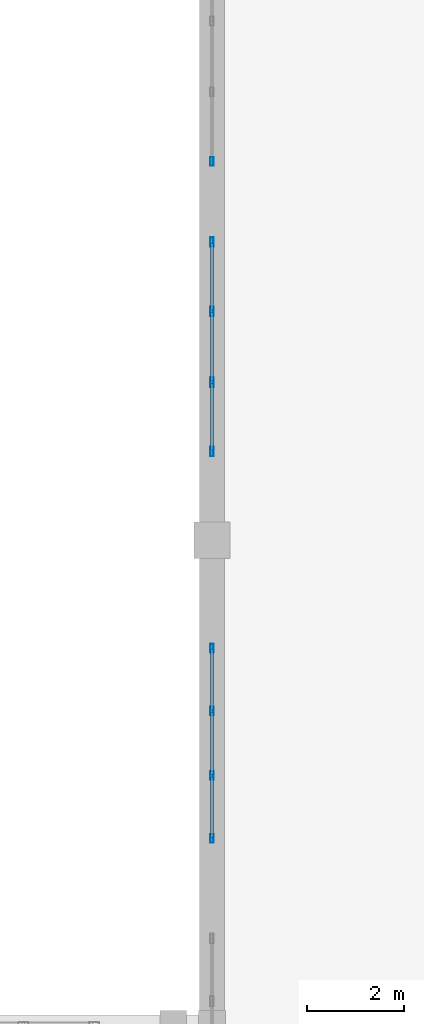
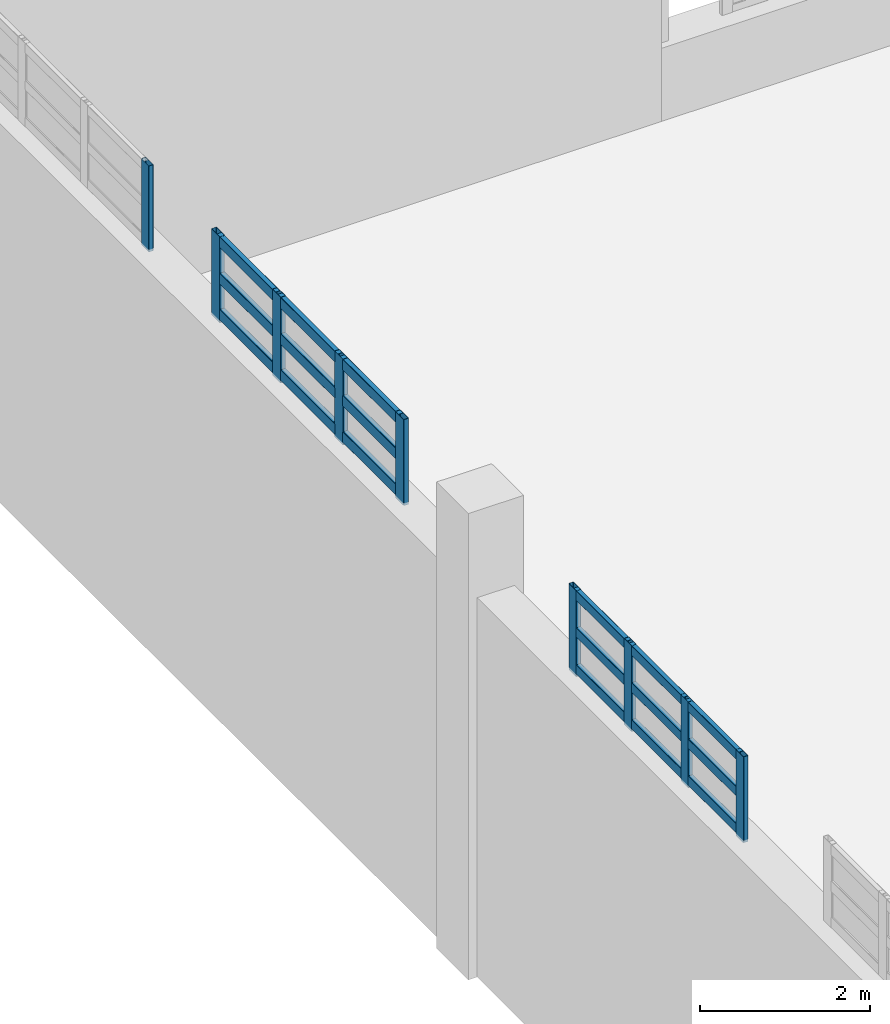
# One storey, part 135 of 197: 27 members, 3 elements without a shape of their own.
"""IFC4 building model written with IfcOpenShell, lengths in metres."""

from ifc_helpers import new_model, si_unit, derived_unit, direction, frame, origin, origin_2d, place, context, subcontext, project, spatial, hollow_rectangle, extrude, material, layer, layer_set, material_profile, profile_set, type_object, element, aggregate, save


model = new_model("IFC4")

# Units and contexts
model_context = context("Model", 3, precision=1e-05, world=origin(), true_north=direction((0.0, 1.0)))
body_context = subcontext(model_context, "Body", "Model", "MODEL_VIEW")
ifc_project = project(units=[si_unit("LENGTHUNIT", "METRE"), si_unit("AREAUNIT", "SQUARE_METRE"), si_unit("VOLUMEUNIT", "CUBIC_METRE"), si_unit("PLANEANGLEUNIT", "RADIAN"), si_unit("MASSUNIT", "GRAM", prefix="KILO"), derived_unit("THERMALTRANSMITTANCEUNIT", [(si_unit("POWERUNIT", "WATT"), 1), (si_unit("LENGTHUNIT", "METRE"), -2), (si_unit("THERMODYNAMICTEMPERATUREUNIT", "KELVIN"), -1)])], contexts=[model_context])

# Site, building, storey
site_placement = place(None, origin())
site = spatial("IfcSite", under=ifc_project, at=site_placement, CompositionType="ELEMENT")
building_placement = place(site_placement, origin())
building = spatial("IfcBuilding", under=site, at=building_placement, Name="Almenara Railside Exhibition Hall", CompositionType="ELEMENT")
storey_placement = place(building_placement, frame((0.0, 0.0, 5.39990234375)))
storey = spatial("IfcBuildingStorey", under=building, at=storey_placement, Name="L01", CompositionType="ELEMENT", Elevation=5.39990234375)

# Curtain wall, members
ifc_material_1 = material(Name="Bronze-anodised aluminium and low-E double glazing", Category="aluminium")
ifc_layer_1 = layer(ifc_material_1, 0.179931640625, Name="Bronze-anodised aluminium and low-E double glazing")
ifc_layer_set_1 = layer_set([ifc_layer_1], Name="Bronze-anodised aluminium and low-E double glazing")
curtain_wall_type_1 = type_object("IfcCurtainWallType", Name="East Hall Clerestory Curtain Wall 4000x2100", PredefinedType="NOTDEFINED", material=ifc_layer_set_1)
curtain_wall_1_placement = place(storey_placement, origin())
curtain_wall_1 = element("IfcCurtainWall", 1, at=curtain_wall_1_placement, inside=storey, type_object=curtain_wall_type_1, Name="Curtain wall CW-CL4-072", PredefinedType="NOTDEFINED")
ifc_material_2 = material(Name="Bronze-anodised aluminium", Category="aluminium")
ifc_material_profile_1 = material_profile(ifc_material_2, hollow_rectangle(XDim=0.06494140625, YDim=0.179931640625, WallThickness=0.00390625, InnerFilletRadius=0.00390625, OuterFilletRadius=0.008056640625, at=origin_2d()), Name="ALU-MUL 65x180x4")
ifc_profile_set_1 = profile_set([ifc_material_profile_1], Name="Bronze-anodised aluminium")
member_type_1 = type_object("IfcMemberType", Name="Curtain Wall Mullion 65x180x4", PredefinedType="MULLION", material=ifc_profile_set_1)
member_1_placement = place(storey_placement, frame((138.0, 111.83251953125, 5.4150390625), z_axis=(0.0, 0.0, 1.0), x_axis=(-1.0, 0.0, 0.0)))
member_1 = element("IfcMember", 2, at=member_1_placement, type_object=member_type_1, Name="CW-CL4-072 mullion 1", PredefinedType="MULLION", context=body_context, shape_type="SweptSolid", body=[
    extrude(hollow_rectangle(XDim=0.06494140625, YDim=0.179931640625, WallThickness=0.00390625, InnerFilletRadius=0.00390625, OuterFilletRadius=0.008056640625, at=origin_2d()), origin(), (0.0, 0.0, 1.0), 1.235107421875),
])
member_2_placement = place(storey_placement, frame((138.0, 113.13330078125, 5.4150390625), z_axis=(0.0, 0.0, 1.0), x_axis=(-1.0, 0.0, 0.0)))
member_2 = element("IfcMember", 3, at=member_2_placement, type_object=member_type_1, Name="CW-CL4-072 mullion 2", PredefinedType="MULLION", context=body_context, shape_type="SweptSolid", body=[
    extrude(hollow_rectangle(XDim=0.06494140625, YDim=0.179931640625, WallThickness=0.00390625, InnerFilletRadius=0.00390625, OuterFilletRadius=0.008056640625, at=origin_2d()), origin(), (0.0, 0.0, 1.0), 1.235107421875),
])
member_3_placement = place(storey_placement, frame((138.0, 114.466552734375, 5.4150390625), z_axis=(0.0, 0.0, 1.0), x_axis=(-1.0, 0.0, 0.0)))
member_3 = element("IfcMember", 4, at=member_3_placement, type_object=member_type_1, Name="CW-CL4-072 mullion 3", PredefinedType="MULLION", context=body_context, shape_type="SweptSolid", body=[
    extrude(hollow_rectangle(XDim=0.06494140625, YDim=0.179931640625, WallThickness=0.00390625, InnerFilletRadius=0.00390625, OuterFilletRadius=0.008056640625, at=origin_2d()), origin(), (0.0, 0.0, 1.0), 1.235107421875),
])
member_4_placement = place(storey_placement, frame((138.0, 115.767578125, 5.4150390625), z_axis=(0.0, 0.0, 1.0), x_axis=(-1.0, 0.0, 0.0)))
member_4 = element("IfcMember", 5, at=member_4_placement, type_object=member_type_1, Name="CW-CL4-072 mullion 4", PredefinedType="MULLION", context=body_context, shape_type="SweptSolid", body=[
    extrude(hollow_rectangle(XDim=0.06494140625, YDim=0.179931640625, WallThickness=0.00390625, InnerFilletRadius=0.00390625, OuterFilletRadius=0.008056640625, at=origin_2d()), origin(), (0.0, 0.0, 1.0), 1.235107421875),
])

# Curtain wall, member
ifc_layer_2 = layer(ifc_material_1, 0.179931640625, Name="Bronze-anodised aluminium and low-E double glazing")
ifc_layer_set_2 = layer_set([ifc_layer_2], Name="Bronze-anodised aluminium and low-E double glazing")
curtain_wall_type_2 = type_object("IfcCurtainWallType", Name="East Hall Clerestory Curtain Wall 4400x2300", PredefinedType="NOTDEFINED", material=ifc_layer_set_2)
curtain_wall_2_placement = place(storey_placement, origin())
curtain_wall_2 = element("IfcCurtainWall", 6, at=curtain_wall_2_placement, inside=storey, type_object=curtain_wall_type_2, Name="Curtain wall CW-CL3-076", PredefinedType="NOTDEFINED")
member_5_placement = place(storey_placement, frame((138.0, 125.83251953125, 5.4150390625), z_axis=(0.0, 0.0, 1.0), x_axis=(-1.0, 0.0, 0.0)))
member_5 = element("IfcMember", 7, at=member_5_placement, type_object=member_type_1, Name="CW-CL3-076 mullion 1", PredefinedType="MULLION", context=body_context, shape_type="SweptSolid", body=[
    extrude(hollow_rectangle(XDim=0.06494140625, YDim=0.179931640625, WallThickness=0.00390625, InnerFilletRadius=0.00390625, OuterFilletRadius=0.008056640625, at=origin_2d()), origin(), (0.0, 0.0, 1.0), 1.235107421875),
])
aggregate(curtain_wall_2, [member_5])

# Curtain wall, members
curtain_wall_3_placement = place(storey_placement, origin())
curtain_wall_3 = element("IfcCurtainWall", 8, at=curtain_wall_3_placement, inside=storey, type_object=curtain_wall_type_2, Name="Curtain wall CW-CL3-075", PredefinedType="NOTDEFINED")
ifc_material_profile_2 = material_profile(ifc_material_2, hollow_rectangle(XDim=0.070068359375, YDim=0.199951171875, WallThickness=0.00439453125, InnerFilletRadius=0.00439453125, OuterFilletRadius=0.009033203125, at=origin_2d()), Name="ALU-MUL 70x200x4.5")
ifc_profile_set_2 = profile_set([ifc_material_profile_2], Name="Bronze-anodised aluminium")
member_type_2 = type_object("IfcMemberType", Name="Curtain Wall Mullion 70x200x4.5", PredefinedType="MULLION", material=ifc_profile_set_2)
member_6_placement = place(storey_placement, frame((138.0, 119.8349609375, 5.4150390625), z_axis=(0.0, 0.0, 1.0), x_axis=(-1.0, 0.0, 0.0)))
member_6 = element("IfcMember", 9, at=member_6_placement, type_object=member_type_2, Name="CW-CL3-075 mullion 1", PredefinedType="MULLION", context=body_context, shape_type="SweptSolid", body=[
    extrude(hollow_rectangle(XDim=0.070068359375, YDim=0.199951171875, WallThickness=0.00439453125, InnerFilletRadius=0.00439453125, OuterFilletRadius=0.009033203125, at=origin_2d()), origin(), (0.0, 0.0, 1.0), 1.235107421875),
])
member_7_placement = place(storey_placement, frame((138.0, 121.2666015625, 5.4150390625), z_axis=(0.0, 0.0, 1.0), x_axis=(-1.0, 0.0, 0.0)))
member_7 = element("IfcMember", 10, at=member_7_placement, type_object=member_type_2, Name="CW-CL3-075 mullion 2", PredefinedType="MULLION", context=body_context, shape_type="SweptSolid", body=[
    extrude(hollow_rectangle(XDim=0.070068359375, YDim=0.199951171875, WallThickness=0.00439453125, InnerFilletRadius=0.00439453125, OuterFilletRadius=0.009033203125, at=origin_2d()), origin(), (0.0, 0.0, 1.0), 1.235107421875),
])
member_8_placement = place(storey_placement, frame((138.0, 122.7333984375, 5.4150390625), z_axis=(0.0, 0.0, 1.0), x_axis=(-1.0, 0.0, 0.0)))
member_8 = element("IfcMember", 11, at=member_8_placement, type_object=member_type_2, Name="CW-CL3-075 mullion 3", PredefinedType="MULLION", context=body_context, shape_type="SweptSolid", body=[
    extrude(hollow_rectangle(XDim=0.070068359375, YDim=0.199951171875, WallThickness=0.00439453125, InnerFilletRadius=0.00439453125, OuterFilletRadius=0.009033203125, at=origin_2d()), origin(), (0.0, 0.0, 1.0), 1.235107421875),
])
member_9_placement = place(storey_placement, frame((138.0, 124.1650390625, 5.4150390625), z_axis=(0.0, 0.0, 1.0), x_axis=(-1.0, 0.0, 0.0)))
member_9 = element("IfcMember", 12, at=member_9_placement, type_object=member_type_2, Name="CW-CL3-075 mullion 4", PredefinedType="MULLION", context=body_context, shape_type="SweptSolid", body=[
    extrude(hollow_rectangle(XDim=0.070068359375, YDim=0.199951171875, WallThickness=0.00439453125, InnerFilletRadius=0.00439453125, OuterFilletRadius=0.009033203125, at=origin_2d()), origin(), (0.0, 0.0, 1.0), 1.235107421875),
])

# Member
ifc_material_profile_3 = material_profile(ifc_material_2, hollow_rectangle(XDim=0.06494140625, YDim=0.139892578125, WallThickness=0.00341796875, InnerFilletRadius=0.00341796875, OuterFilletRadius=0.007080078125, at=origin_2d()), Name="ALU-TRN 65x140x3.5")
ifc_profile_set_3 = profile_set([ifc_material_profile_3], Name="Bronze-anodised aluminium")
member_type_3 = type_object("IfcMemberType", Name="Curtain Wall Transom 65x140x3.5", PredefinedType="USERDEFINED", material=ifc_profile_set_3)
member_10_placement = place(storey_placement, frame((138.0, 111.85693359375, 5.52001953125), z_axis=(0.0, 1.0, 0.0), x_axis=(-1.0, 0.0, 0.0)))
member_10 = element("IfcMember", 13, at=member_10_placement, type_object=member_type_3, Name="CW-CL4-072 transom 1.1", ObjectType="TRANSOM", PredefinedType="USERDEFINED", context=body_context, shape_type="SweptSolid", body=[
    extrude(hollow_rectangle(XDim=0.06494140625, YDim=0.139892578125, WallThickness=0.00341796875, InnerFilletRadius=0.00341796875, OuterFilletRadius=0.007080078125, at=origin_2d()), origin(), (0.0, 0.0, 1.0), 1.251953125),
])

member_11_placement = place(storey_placement, frame((138.0, 111.85693359375, 6.050048828125), z_axis=(0.0, 1.0, 0.0), x_axis=(-1.0, 0.0, 0.0)))
member_11 = element("IfcMember", 14, at=member_11_placement, type_object=member_type_3, Name="CW-CL4-072 transom 1.2", ObjectType="TRANSOM", PredefinedType="USERDEFINED", context=body_context, shape_type="SweptSolid", body=[
    extrude(hollow_rectangle(XDim=0.06494140625, YDim=0.139892578125, WallThickness=0.00341796875, InnerFilletRadius=0.00341796875, OuterFilletRadius=0.007080078125, at=origin_2d()), origin(), (0.0, 0.0, 1.0), 1.251953125),
])

member_12_placement = place(storey_placement, frame((138.0, 111.85693359375, 6.580078125), z_axis=(0.0, 1.0, 0.0), x_axis=(-1.0, 0.0, 0.0)))
member_12 = element("IfcMember", 15, at=member_12_placement, type_object=member_type_3, Name="CW-CL4-072 transom 1.3", ObjectType="TRANSOM", PredefinedType="USERDEFINED", context=body_context, shape_type="SweptSolid", body=[
    extrude(hollow_rectangle(XDim=0.06494140625, YDim=0.139892578125, WallThickness=0.00341796875, InnerFilletRadius=0.00341796875, OuterFilletRadius=0.007080078125, at=origin_2d()), origin(), (0.0, 0.0, 1.0), 1.251953125),
])

member_13_placement = place(storey_placement, frame((138.0, 113.15771484375, 5.52001953125), z_axis=(0.0, 1.0, 0.0), x_axis=(-1.0, 0.0, 0.0)))
member_13 = element("IfcMember", 16, at=member_13_placement, type_object=member_type_3, Name="CW-CL4-072 transom 2.1", ObjectType="TRANSOM", PredefinedType="USERDEFINED", context=body_context, shape_type="SweptSolid", body=[
    extrude(hollow_rectangle(XDim=0.06494140625, YDim=0.139892578125, WallThickness=0.00341796875, InnerFilletRadius=0.00341796875, OuterFilletRadius=0.007080078125, at=origin_2d()), origin(), (0.0, 0.0, 1.0), 1.284423828125),
])

member_14_placement = place(storey_placement, frame((138.0, 113.15771484375, 6.050048828125), z_axis=(0.0, 1.0, 0.0), x_axis=(-1.0, 0.0, 0.0)))
member_14 = element("IfcMember", 17, at=member_14_placement, type_object=member_type_3, Name="CW-CL4-072 transom 2.2", ObjectType="TRANSOM", PredefinedType="USERDEFINED", context=body_context, shape_type="SweptSolid", body=[
    extrude(hollow_rectangle(XDim=0.06494140625, YDim=0.139892578125, WallThickness=0.00341796875, InnerFilletRadius=0.00341796875, OuterFilletRadius=0.007080078125, at=origin_2d()), origin(), (0.0, 0.0, 1.0), 1.284423828125),
])

member_15_placement = place(storey_placement, frame((138.0, 113.15771484375, 6.580078125), z_axis=(0.0, 1.0, 0.0), x_axis=(-1.0, 0.0, 0.0)))
member_15 = element("IfcMember", 18, at=member_15_placement, type_object=member_type_3, Name="CW-CL4-072 transom 2.3", ObjectType="TRANSOM", PredefinedType="USERDEFINED", context=body_context, shape_type="SweptSolid", body=[
    extrude(hollow_rectangle(XDim=0.06494140625, YDim=0.139892578125, WallThickness=0.00341796875, InnerFilletRadius=0.00341796875, OuterFilletRadius=0.007080078125, at=origin_2d()), origin(), (0.0, 0.0, 1.0), 1.284423828125),
])

member_16_placement = place(storey_placement, frame((138.0, 114.4912109375, 5.52001953125), z_axis=(0.0, 1.0, 0.0), x_axis=(-1.0, 0.0, 0.0)))
member_16 = element("IfcMember", 19, at=member_16_placement, type_object=member_type_3, Name="CW-CL4-072 transom 3.1", ObjectType="TRANSOM", PredefinedType="USERDEFINED", context=body_context, shape_type="SweptSolid", body=[
    extrude(hollow_rectangle(XDim=0.06494140625, YDim=0.139892578125, WallThickness=0.00341796875, InnerFilletRadius=0.00341796875, OuterFilletRadius=0.007080078125, at=origin_2d()), origin(), (0.0, 0.0, 1.0), 1.251708984375),
])

member_17_placement = place(storey_placement, frame((138.0, 114.4912109375, 6.050048828125), z_axis=(0.0, 1.0, 0.0), x_axis=(-1.0, 0.0, 0.0)))
member_17 = element("IfcMember", 20, at=member_17_placement, type_object=member_type_3, Name="CW-CL4-072 transom 3.2", ObjectType="TRANSOM", PredefinedType="USERDEFINED", context=body_context, shape_type="SweptSolid", body=[
    extrude(hollow_rectangle(XDim=0.06494140625, YDim=0.139892578125, WallThickness=0.00341796875, InnerFilletRadius=0.00341796875, OuterFilletRadius=0.007080078125, at=origin_2d()), origin(), (0.0, 0.0, 1.0), 1.251708984375),
])

member_18_placement = place(storey_placement, frame((138.0, 114.4912109375, 6.580078125), z_axis=(0.0, 1.0, 0.0), x_axis=(-1.0, 0.0, 0.0)))
member_18 = element("IfcMember", 21, at=member_18_placement, type_object=member_type_3, Name="CW-CL4-072 transom 3.3", ObjectType="TRANSOM", PredefinedType="USERDEFINED", context=body_context, shape_type="SweptSolid", body=[
    extrude(hollow_rectangle(XDim=0.06494140625, YDim=0.139892578125, WallThickness=0.00341796875, InnerFilletRadius=0.00341796875, OuterFilletRadius=0.007080078125, at=origin_2d()), origin(), (0.0, 0.0, 1.0), 1.251708984375),
])

aggregate(curtain_wall_1, [member_1, member_2, member_3, member_4, member_10, member_11, member_12, member_13, member_14, member_15, member_16, member_17, member_18])

ifc_material_profile_4 = material_profile(ifc_material_2, hollow_rectangle(XDim=0.070068359375, YDim=0.159912109375, WallThickness=0.00390625, InnerFilletRadius=0.00390625, OuterFilletRadius=0.008056640625, at=origin_2d()), Name="ALU-TRN 70x160x4")
ifc_profile_set_4 = profile_set([ifc_material_profile_4], Name="Bronze-anodised aluminium")
member_type_4 = type_object("IfcMemberType", Name="Curtain Wall Transom 70x160x4", PredefinedType="USERDEFINED", material=ifc_profile_set_4)
member_19_placement = place(storey_placement, frame((138.0, 119.862060546875, 5.530029296875), z_axis=(0.0, 1.0, 0.0), x_axis=(-1.0, 0.0, 0.0)))
member_19 = element("IfcMember", 22, at=member_19_placement, type_object=member_type_4, Name="CW-CL3-075 transom 1.1", ObjectType="TRANSOM", PredefinedType="USERDEFINED", context=body_context, shape_type="SweptSolid", body=[
    extrude(hollow_rectangle(XDim=0.070068359375, YDim=0.159912109375, WallThickness=0.00390625, InnerFilletRadius=0.00390625, OuterFilletRadius=0.008056640625, at=origin_2d()), origin(), (0.0, 0.0, 1.0), 1.377685546875),
])

member_20_placement = place(storey_placement, frame((138.0, 119.862060546875, 6.050048828125), z_axis=(0.0, 1.0, 0.0), x_axis=(-1.0, 0.0, 0.0)))
member_20 = element("IfcMember", 23, at=member_20_placement, type_object=member_type_4, Name="CW-CL3-075 transom 1.2", ObjectType="TRANSOM", PredefinedType="USERDEFINED", context=body_context, shape_type="SweptSolid", body=[
    extrude(hollow_rectangle(XDim=0.070068359375, YDim=0.159912109375, WallThickness=0.00390625, InnerFilletRadius=0.00390625, OuterFilletRadius=0.008056640625, at=origin_2d()), origin(), (0.0, 0.0, 1.0), 1.377685546875),
])

member_21_placement = place(storey_placement, frame((138.0, 119.862060546875, 6.570068359375), z_axis=(0.0, 1.0, 0.0), x_axis=(-1.0, 0.0, 0.0)))
member_21 = element("IfcMember", 24, at=member_21_placement, type_object=member_type_4, Name="CW-CL3-075 transom 1.3", ObjectType="TRANSOM", PredefinedType="USERDEFINED", context=body_context, shape_type="SweptSolid", body=[
    extrude(hollow_rectangle(XDim=0.070068359375, YDim=0.159912109375, WallThickness=0.00390625, InnerFilletRadius=0.00390625, OuterFilletRadius=0.008056640625, at=origin_2d()), origin(), (0.0, 0.0, 1.0), 1.377685546875),
])

member_22_placement = place(storey_placement, frame((138.0, 121.293701171875, 5.530029296875), z_axis=(0.0, 1.0, 0.0), x_axis=(-1.0, 0.0, 0.0)))
member_22 = element("IfcMember", 25, at=member_22_placement, type_object=member_type_4, Name="CW-CL3-075 transom 2.1", ObjectType="TRANSOM", PredefinedType="USERDEFINED", context=body_context, shape_type="SweptSolid", body=[
    extrude(hollow_rectangle(XDim=0.070068359375, YDim=0.159912109375, WallThickness=0.00390625, InnerFilletRadius=0.00390625, OuterFilletRadius=0.008056640625, at=origin_2d()), origin(), (0.0, 0.0, 1.0), 1.41259765625),
])

member_23_placement = place(storey_placement, frame((138.0, 121.293701171875, 6.050048828125), z_axis=(0.0, 1.0, 0.0), x_axis=(-1.0, 0.0, 0.0)))
member_23 = element("IfcMember", 26, at=member_23_placement, type_object=member_type_4, Name="CW-CL3-075 transom 2.2", ObjectType="TRANSOM", PredefinedType="USERDEFINED", context=body_context, shape_type="SweptSolid", body=[
    extrude(hollow_rectangle(XDim=0.070068359375, YDim=0.159912109375, WallThickness=0.00390625, InnerFilletRadius=0.00390625, OuterFilletRadius=0.008056640625, at=origin_2d()), origin(), (0.0, 0.0, 1.0), 1.41259765625),
])

member_24_placement = place(storey_placement, frame((138.0, 121.293701171875, 6.570068359375), z_axis=(0.0, 1.0, 0.0), x_axis=(-1.0, 0.0, 0.0)))
member_24 = element("IfcMember", 27, at=member_24_placement, type_object=member_type_4, Name="CW-CL3-075 transom 2.3", ObjectType="TRANSOM", PredefinedType="USERDEFINED", context=body_context, shape_type="SweptSolid", body=[
    extrude(hollow_rectangle(XDim=0.070068359375, YDim=0.159912109375, WallThickness=0.00390625, InnerFilletRadius=0.00390625, OuterFilletRadius=0.008056640625, at=origin_2d()), origin(), (0.0, 0.0, 1.0), 1.41259765625),
])

member_25_placement = place(storey_placement, frame((138.0, 122.76025390625, 5.530029296875), z_axis=(0.0, 1.0, 0.0), x_axis=(-1.0, 0.0, 0.0)))
member_25 = element("IfcMember", 28, at=member_25_placement, type_object=member_type_4, Name="CW-CL3-075 transom 3.1", ObjectType="TRANSOM", PredefinedType="USERDEFINED", context=body_context, shape_type="SweptSolid", body=[
    extrude(hollow_rectangle(XDim=0.070068359375, YDim=0.159912109375, WallThickness=0.00390625, InnerFilletRadius=0.00390625, OuterFilletRadius=0.008056640625, at=origin_2d()), origin(), (0.0, 0.0, 1.0), 1.377685546875),
])

member_26_placement = place(storey_placement, frame((138.0, 122.76025390625, 6.050048828125), z_axis=(0.0, 1.0, 0.0), x_axis=(-1.0, 0.0, 0.0)))
member_26 = element("IfcMember", 29, at=member_26_placement, type_object=member_type_4, Name="CW-CL3-075 transom 3.2", ObjectType="TRANSOM", PredefinedType="USERDEFINED", context=body_context, shape_type="SweptSolid", body=[
    extrude(hollow_rectangle(XDim=0.070068359375, YDim=0.159912109375, WallThickness=0.00390625, InnerFilletRadius=0.00390625, OuterFilletRadius=0.008056640625, at=origin_2d()), origin(), (0.0, 0.0, 1.0), 1.377685546875),
])

member_27_placement = place(storey_placement, frame((138.0, 122.76025390625, 6.570068359375), z_axis=(0.0, 1.0, 0.0), x_axis=(-1.0, 0.0, 0.0)))
member_27 = element("IfcMember", 30, at=member_27_placement, type_object=member_type_4, Name="CW-CL3-075 transom 3.3", ObjectType="TRANSOM", PredefinedType="USERDEFINED", context=body_context, shape_type="SweptSolid", body=[
    extrude(hollow_rectangle(XDim=0.070068359375, YDim=0.159912109375, WallThickness=0.00390625, InnerFilletRadius=0.00390625, OuterFilletRadius=0.008056640625, at=origin_2d()), origin(), (0.0, 0.0, 1.0), 1.377685546875),
])

aggregate(curtain_wall_3, [member_6, member_7, member_8, member_9, member_19, member_20, member_21, member_22, member_23, member_24, member_25, member_26, member_27])

save(model, "model.ifc")
